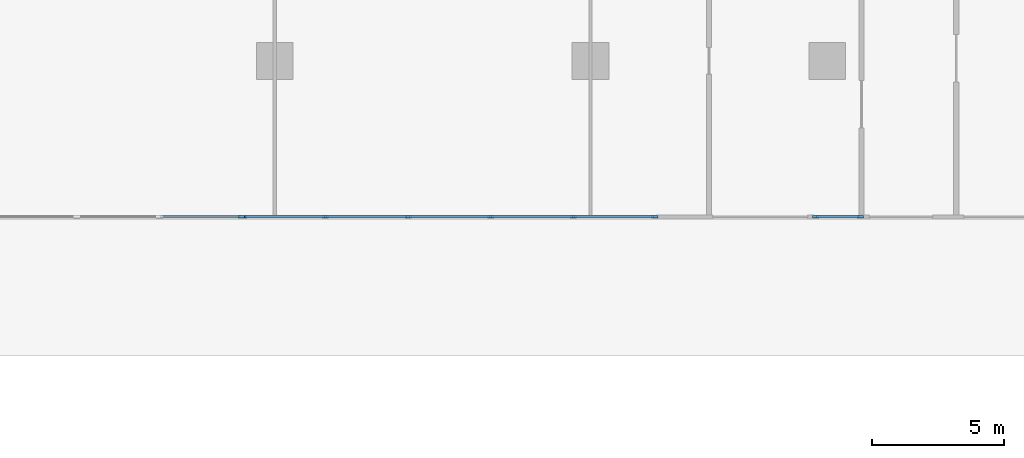
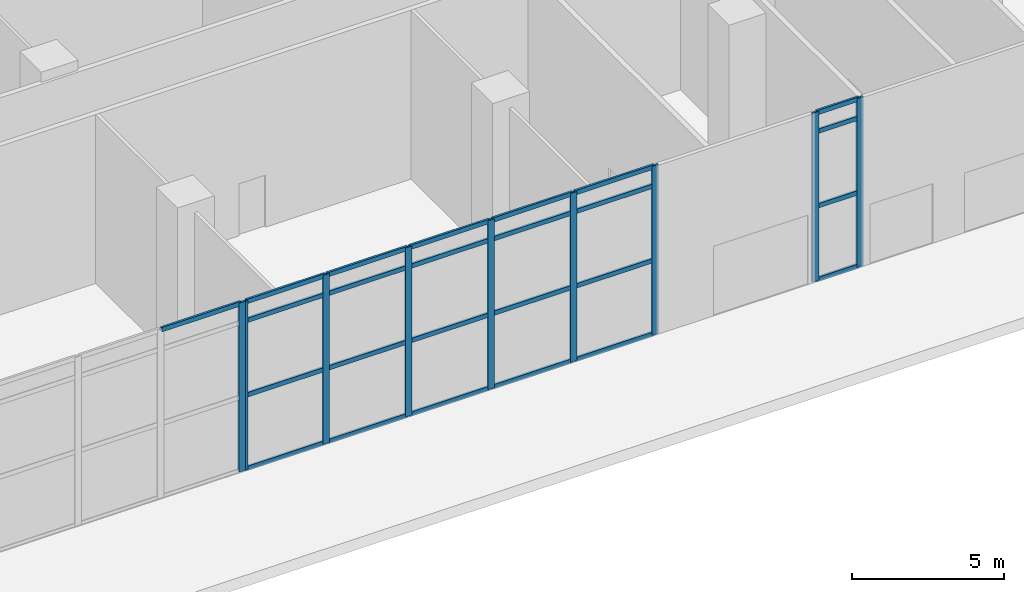
# One storey, part 3 of 34: 34 members, 3 elements without a shape of their own.
"""IFC4 building model written with IfcOpenShell, lengths in metres."""

import ifcopenshell
import ifcopenshell.guid

model = None  # the IFC model being written
_history = None  # IfcOwnerHistory: only IFC2X3 demands one
_inside = {}  # id of a spatial element -> (the spatial element, [elements in it])
_under = {}  # id of a project, library or spatial element -> (it, [spatial elements below it])
_declared = {}  # id of a project -> (the project, [libraries it declares])
_typed = {}  # id of a type object -> (the type object, [elements of that type])
_made_of = {}  # id of a material, layer set ... -> (it, [elements and type objects made of it])


def new_model(schema):
    """Start an empty IFC model of exactly this schema.

    Asked for "IFC4X3", IfcOpenShell would pick the latest addendum, in which some entities
    have other attributes; the version numbers below select the first issue.
    IFC2X3 requires an IfcOwnerHistory on every rooted entity: one is made here for all.
    """
    global model, _history
    if schema == "IFC4X3":
        model = ifcopenshell.file(schema_version=(4, 3, 0, 0))
    else:
        model = ifcopenshell.file(schema=schema)
    _inside.clear()
    _under.clear()
    _declared.clear()
    _typed.clear()
    _made_of.clear()
    _history = None
    if model.schema == "IFC2X3":
        org = make("IfcOrganization", Name="unknown")
        user = make(
            "IfcPersonAndOrganization",
            ThePerson=make("IfcPerson", FamilyName="unknown"),
            TheOrganization=org,
        )
        app = make(
            "IfcApplication",
            ApplicationDeveloper=org,
            Version="unknown",
            ApplicationFullName="unknown",
            ApplicationIdentifier="unknown",
        )
        _history = make(
            "IfcOwnerHistory",
            OwningUser=user,
            OwningApplication=app,
            ChangeAction="ADDED",
            CreationDate=0,
        )
    return model


def make(cls, **values):
    """One entity of the class cls with the attributes given. An attribute that is None is left unset."""
    return model.create_entity(
        cls, **{name: value for name, value in values.items() if value is not None}
    )


def rooted(cls, **values):
    """An entity with a GlobalId (a new one), such as an element, a storey or a relation."""
    return make(cls, GlobalId=ifcopenshell.guid.new(), OwnerHistory=_history, **values)


def si_unit(unit_type, name, prefix=None):
    """IfcSIUnit, for example si_unit("LENGTHUNIT", "METRE", prefix="MILLI")."""
    return make("IfcSIUnit", UnitType=unit_type, Prefix=prefix, Name=name)


def assignment(units):
    """IfcUnitAssignment: the units of a project."""
    return None if units is None else make("IfcUnitAssignment", Units=units)


def point(xyz):
    """IfcCartesianPoint."""
    return None if xyz is None else make("IfcCartesianPoint", Coordinates=xyz)


def direction(xyz):
    """IfcDirection."""
    return None if xyz is None else make("IfcDirection", DirectionRatios=xyz)


def frame(location, z_axis=None, x_axis=None):
    """IfcAxis2Placement3D, a coordinate frame: its origin and axes. An axis left out is left unset."""
    return make(
        "IfcAxis2Placement3D",
        Location=point(location),
        Axis=direction(z_axis),
        RefDirection=direction(x_axis),
    )


def frame_2d(location, x_axis=None):
    """IfcAxis2Placement2D, a coordinate frame in the plane: its origin and x axis."""
    return make(
        "IfcAxis2Placement2D", Location=point(location), RefDirection=direction(x_axis)
    )


def origin():
    """The frame at (0, 0, 0) with its axes left unset."""
    return frame((0.0, 0.0, 0.0))


def origin_2d():
    """The frame at (0, 0) in the plane with its x axis left unset."""
    return frame_2d((0.0, 0.0))


def place(relative_to, where):
    """IfcLocalPlacement: puts the frame where relative to a parent placement (None: the world)."""
    return make(
        "IfcLocalPlacement", PlacementRelTo=relative_to, RelativePlacement=where
    )


def context(
    kind, dimensions, precision=None, world=None, true_north=None, identifier=None
):
    """IfcGeometricRepresentationContext, for example the 3D "Model" context."""
    return make(
        "IfcGeometricRepresentationContext",
        ContextIdentifier=identifier,
        ContextType=kind,
        CoordinateSpaceDimension=dimensions,
        Precision=precision,
        WorldCoordinateSystem=world,
        TrueNorth=true_north,
    )


def subcontext(parent, identifier, kind, view, scale=None):
    """IfcGeometricRepresentationSubContext, for example "Body" below "Model"."""
    return make(
        "IfcGeometricRepresentationSubContext",
        ContextIdentifier=identifier,
        ContextType=kind,
        ParentContext=parent,
        TargetScale=scale,
        TargetView=view,
    )


def project(units=None, contexts=None):
    """IfcProject with its units and contexts."""
    return rooted(
        "IfcProject",
        Name="project",
        RepresentationContexts=contexts,
        UnitsInContext=assignment(units),
    )


def spatial(cls, under=None, at=None, **own):
    """A site, building, storey or space (cls), placed at a placement, below another one or the project."""
    s = rooted(cls, ObjectPlacement=at, **own)
    if under is not None:
        _under.setdefault(under.id(), (under, []))[1].append(s)
    return s


def profile(cls, at=None, kind="AREA", **sizes):
    """A parametric profile (cls). Its sizes go by their IFC names, for example OverallWidth=200.0."""
    return make(cls, ProfileType=kind, Position=at, **sizes)


def rectangle(**sizes):
    """IfcRectangleProfileDef."""
    return profile("IfcRectangleProfileDef", **sizes)


def extrude(swept, where, along, depth):
    """IfcExtrudedAreaSolid: the profile swept, set in the frame where, extruded along a direction by depth."""
    return make(
        "IfcExtrudedAreaSolid",
        SweptArea=swept,
        Position=where,
        ExtrudedDirection=direction(along),
        Depth=depth,
    )


def shape(context_of_items, identifier, shape_type, items):
    """IfcShapeRepresentation: the items that make up one representation, for example the "Body"."""
    return make(
        "IfcShapeRepresentation",
        ContextOfItems=context_of_items,
        RepresentationIdentifier=identifier,
        RepresentationType=shape_type,
        Items=items,
    )


def material(Name=None, Category=None):
    """IfcMaterial."""
    return make("IfcMaterial", Name=Name, Category=Category)


def layer(
    of_material, thickness, ventilated=None, Name=None, Category=None, Priority=None
):
    """IfcMaterialLayer: one layer of a wall or slab, of a material (None: an air gap)."""
    return make(
        "IfcMaterialLayer",
        Material=of_material,
        LayerThickness=thickness,
        IsVentilated=ventilated,
        Name=Name,
        Category=Category,
        Priority=Priority,
    )


def layer_set(layers, Name=None):
    """IfcMaterialLayerSet."""
    return make("IfcMaterialLayerSet", MaterialLayers=layers, LayerSetName=Name)


def material_profile(
    of_material, cross_section, Name=None, Category=None, Priority=None
):
    """IfcMaterialProfile: a cross section and its material."""
    return make(
        "IfcMaterialProfile",
        Name=Name,
        Material=of_material,
        Profile=cross_section,
        Priority=Priority,
        Category=Category,
    )


def profile_set(profiles, Name=None, composite=None):
    """IfcMaterialProfileSet."""
    return make(
        "IfcMaterialProfileSet",
        Name=Name,
        MaterialProfiles=profiles,
        CompositeProfile=composite,
    )


def made_of(thing, what):
    """Note that an element or type object is made of a material, layer set ...; save() writes the relation."""
    if what is not None:
        _made_of.setdefault(what.id(), (what, []))[1].append(thing)
    return thing


def type_object(cls, material=None, **own):
    """A type object (cls), such as IfcWallType, which elements share."""
    return made_of(rooted(cls, **own), material)


def element(
    cls,
    number,
    at=None,
    inside=None,
    cuts=None,
    type_object=None,
    material=None,
    context=None,
    identifier="Body",
    shape_type=None,
    held_by="IfcProductDefinitionShape",
    body=None,
    shapes=None,
    **own,
):
    """One element of the class cls, such as IfcWall. Its Tag is "e" and its number.

    at: its placement. inside: the storey or other place that contains it. cuts: it is an
    opening in that element (IfcRelVoidsElement). A single representation is given by context,
    identifier, shape_type and body (its items); several are given by shapes. held_by: the class
    of the entity that holds the representations. save() writes the other relations.
    """
    e = rooted(cls, Tag="e%d" % number, ObjectPlacement=at, **own)
    if body is not None:
        shapes = [shape(context, identifier, shape_type, body)]
    if shapes is not None:
        e.Representation = make(held_by, Representations=shapes)
    if inside is not None:
        _inside.setdefault(inside.id(), (inside, []))[1].append(e)
    if cuts is not None:
        rooted(
            "IfcRelVoidsElement", RelatingBuildingElement=cuts, RelatedOpeningElement=e
        )
    if type_object is not None:
        _typed.setdefault(type_object.id(), (type_object, []))[1].append(e)
    return made_of(e, material)


def aggregate(whole, parts):
    """IfcRelAggregates: a whole, such as a stair, and the parts it consists of."""
    return rooted("IfcRelAggregates", RelatingObject=whole, RelatedObjects=parts)


def save(model, path):
    """Write the relations noted so far, then the file.

    IfcRelAggregates (storeys below a building ...), IfcRelContainedInSpatialStructure (elements
    in a storey), IfcRelDefinesByType, IfcRelAssociatesMaterial and IfcRelDeclares: one each for
    every whole, place, type object, material and project.
    """
    for whole, parts in _under.values():
        aggregate(whole, parts)
    for where, things in _inside.values():
        rooted(
            "IfcRelContainedInSpatialStructure",
            RelatedElements=things,
            RelatingStructure=where,
        )
    for kind, things in _typed.values():
        rooted("IfcRelDefinesByType", RelatedObjects=things, RelatingType=kind)
    for what, things in _made_of.values():
        rooted("IfcRelAssociatesMaterial", RelatedObjects=things, RelatingMaterial=what)
    for by, libraries in _declared.values():
        rooted("IfcRelDeclares", RelatingContext=by, RelatedDefinitions=libraries)
    model.write(path)


model = new_model("IFC4")

# Units and contexts
model_context = context("Model", 3, precision=1e-05, world=origin(), true_north=direction((0.0, 1.0)))
body_context = subcontext(model_context, "Body", "Model", "MODEL_VIEW")
ifc_project = project(units=[si_unit("LENGTHUNIT", "METRE"), si_unit("AREAUNIT", "SQUARE_METRE"), si_unit("VOLUMEUNIT", "CUBIC_METRE"), si_unit("PLANEANGLEUNIT", "RADIAN"), si_unit("MASSUNIT", "GRAM", prefix="KILO")], contexts=[model_context])

# Site, building, storey
site_placement = place(None, origin())
site = spatial("IfcSite", under=ifc_project, at=site_placement, CompositionType="ELEMENT")
building_placement = place(site_placement, origin())
building = spatial("IfcBuilding", under=site, at=building_placement, Name="Chenar Terraces", CompositionType="ELEMENT")
storey_placement = place(building_placement, origin())
storey = spatial("IfcBuildingStorey", under=building, at=storey_placement, Name="L00", CompositionType="ELEMENT", Elevation=0.0)

# Curtain wall, member
ifc_material_1 = material(Name="Aluminium framed glazing", Category="aluminium")
ifc_layer = layer(ifc_material_1, 0.14990234375)
ifc_layer_set = layer_set([ifc_layer], Name="Aluminium framed glazing")
curtain_wall_type = type_object("IfcCurtainWallType", Name="Lobby curtain wall", PredefinedType="NOTDEFINED", material=ifc_layer_set)
placement = place(storey_placement, origin())
curtain_wall_1 = element("IfcCurtainWall", 1, at=placement, inside=storey, type_object=curtain_wall_type, Name="Lobby curtain wall", PredefinedType="NOTDEFINED")
ifc_material_2 = material(Name="Aluminium", Category="aluminium")
ifc_material_profile_1 = material_profile(ifc_material_2, rectangle(XDim=0.080078125, YDim=0.25, at=origin_2d()), Name="Lobby glazing mullion 80 x 250")
ifc_profile_set_1 = profile_set([ifc_material_profile_1], Name="Aluminium")
member_type_1 = type_object("IfcMemberType", Name="Lobby glazing mullion 80 x 250", PredefinedType="MULLION", material=ifc_profile_set_1)
member_1_placement = place(storey_placement, frame((22.72021484375, -14.925048828125, 0.0), z_axis=(0.0, 0.0, 1.0), x_axis=(0.0, 1.0, 0.0)))
member_1 = element("IfcMember", 2, at=member_1_placement, type_object=member_type_1, Name="CW6-06p10 mullion 6", PredefinedType="MULLION", context=body_context, shape_type="SweptSolid", body=[
    extrude(rectangle(XDim=0.080078125, YDim=0.25, at=origin_2d()), origin(), (0.0, 0.0, 1.0), 6.800048828125),
])

# Curtain wall, members
curtain_wall_2 = element("IfcCurtainWall", 3, at=placement, inside=storey, type_object=curtain_wall_type, Name="Lobby curtain wall", PredefinedType="NOTDEFINED")
member_2_placement = place(storey_placement, frame((22.8251953125, -14.925048828125, 0.0), z_axis=(0.0, 0.0, 1.0), x_axis=(0.0, 1.0, 0.0)))
member_2 = element("IfcMember", 4, at=member_2_placement, type_object=member_type_1, Name="CW6-06p11 mullion 1", PredefinedType="MULLION", context=body_context, shape_type="SweptSolid", body=[
    extrude(rectangle(XDim=0.080078125, YDim=0.25, at=origin_2d()), origin(), (0.0, 0.0, 1.0), 6.800048828125),
])
member_3_placement = place(storey_placement, frame((25.92578125, -14.925048828125, 0.0), z_axis=(0.0, 0.0, 1.0), x_axis=(0.0, 1.0, 0.0)))
member_3 = element("IfcMember", 5, at=member_3_placement, type_object=member_type_1, Name="CW6-06p11 mullion 2", PredefinedType="MULLION", context=body_context, shape_type="SweptSolid", body=[
    extrude(rectangle(XDim=0.080078125, YDim=0.25, at=origin_2d()), origin(), (0.0, 0.0, 1.0), 6.800048828125),
])
member_4_placement = place(storey_placement, frame((29.066162109375, -14.925048828125, 0.0), z_axis=(0.0, 0.0, 1.0), x_axis=(0.0, 1.0, 0.0)))
member_4 = element("IfcMember", 6, at=member_4_placement, type_object=member_type_1, Name="CW6-06p11 mullion 3", PredefinedType="MULLION", context=body_context, shape_type="SweptSolid", body=[
    extrude(rectangle(XDim=0.080078125, YDim=0.25, at=origin_2d()), origin(), (0.0, 0.0, 1.0), 6.800048828125),
])
member_5_placement = place(storey_placement, frame((32.20654296875, -14.925048828125, 0.0), z_axis=(0.0, 0.0, 1.0), x_axis=(0.0, 1.0, 0.0)))
member_5 = element("IfcMember", 7, at=member_5_placement, type_object=member_type_1, Name="CW6-06p11 mullion 4", PredefinedType="MULLION", context=body_context, shape_type="SweptSolid", body=[
    extrude(rectangle(XDim=0.080078125, YDim=0.25, at=origin_2d()), origin(), (0.0, 0.0, 1.0), 6.800048828125),
])
member_6_placement = place(storey_placement, frame((35.34716796875, -14.925048828125, 0.0), z_axis=(0.0, 0.0, 1.0), x_axis=(0.0, 1.0, 0.0)))
member_6 = element("IfcMember", 8, at=member_6_placement, type_object=member_type_1, Name="CW6-06p11 mullion 5", PredefinedType="MULLION", context=body_context, shape_type="SweptSolid", body=[
    extrude(rectangle(XDim=0.080078125, YDim=0.25, at=origin_2d()), origin(), (0.0, 0.0, 1.0), 6.800048828125),
])
member_7_placement = place(storey_placement, frame((38.447509765625, -14.925048828125, 0.0), z_axis=(0.0, 0.0, 1.0), x_axis=(0.0, 1.0, 0.0)))
member_7 = element("IfcMember", 9, at=member_7_placement, type_object=member_type_1, Name="CW6-06p11 mullion 6", PredefinedType="MULLION", context=body_context, shape_type="SweptSolid", body=[
    extrude(rectangle(XDim=0.080078125, YDim=0.25, at=origin_2d()), origin(), (0.0, 0.0, 1.0), 6.800048828125),
])

curtain_wall_3 = element("IfcCurtainWall", 10, at=placement, inside=storey, type_object=curtain_wall_type, Name="Lobby curtain wall", PredefinedType="NOTDEFINED")
member_8_placement = place(storey_placement, frame((44.552490234375, -14.925048828125, 0.0), z_axis=(0.0, 0.0, 1.0), x_axis=(0.0, 1.0, 0.0)))
member_8 = element("IfcMember", 11, at=member_8_placement, type_object=member_type_1, Name="CW6-06p20 mullion 1", PredefinedType="MULLION", context=body_context, shape_type="SweptSolid", body=[
    extrude(rectangle(XDim=0.080078125, YDim=0.25, at=origin_2d()), origin(), (0.0, 0.0, 1.0), 6.800048828125),
])
member_9_placement = place(storey_placement, frame((46.24755859375, -14.925048828125, 0.0), z_axis=(0.0, 0.0, 1.0), x_axis=(0.0, 1.0, 0.0)))
member_9 = element("IfcMember", 12, at=member_9_placement, type_object=member_type_1, Name="CW6-06p20 mullion 2", PredefinedType="MULLION", context=body_context, shape_type="SweptSolid", body=[
    extrude(rectangle(XDim=0.080078125, YDim=0.25, at=origin_2d()), origin(), (0.0, 0.0, 1.0), 6.800048828125),
])

# Member
ifc_material_3 = material(Name="Aluminium", Category="aluminium")
ifc_material_profile_2 = material_profile(ifc_material_3, rectangle(XDim=0.080078125, YDim=0.179931640625, at=origin_2d()), Name="Lobby glazing transom 80 x 180")
ifc_profile_set_2 = profile_set([ifc_material_profile_2], Name="Aluminium")
member_type_2 = type_object("IfcMemberType", Name="Lobby glazing transom 80 x 180", PredefinedType="USERDEFINED", material=ifc_profile_set_2)
member_10_placement = place(storey_placement, frame((19.659912109375, -14.925048828125, 6.760009765625), z_axis=(1.0, 0.0, 0.0), x_axis=(0.0, 1.0, 0.0)))
member_10 = element("IfcMember", 13, at=member_10_placement, type_object=member_type_2, Name="CW6-06p10 transom 5.4", ObjectType="TRANSOM", PredefinedType="USERDEFINED", context=body_context, shape_type="SweptSolid", body=[
    extrude(rectangle(XDim=0.080078125, YDim=0.179931640625, at=origin_2d()), origin(), (0.0, 0.0, 1.0), 3.0205078125),
])

aggregate(curtain_wall_1, [member_1, member_10])

member_11_placement = place(storey_placement, frame((22.865234375, -14.925048828125, 0.0400390625), z_axis=(1.0, 0.0, 0.0), x_axis=(0.0, 1.0, 0.0)))
member_11 = element("IfcMember", 14, at=member_11_placement, type_object=member_type_2, Name="CW6-06p11 transom 1.1", ObjectType="TRANSOM", PredefinedType="USERDEFINED", context=body_context, shape_type="SweptSolid", body=[
    extrude(rectangle(XDim=0.080078125, YDim=0.179931640625, at=origin_2d()), origin(), (0.0, 0.0, 1.0), 3.0205078125),
])

member_12_placement = place(storey_placement, frame((22.865234375, -14.925048828125, 3.0), z_axis=(1.0, 0.0, 0.0), x_axis=(0.0, 1.0, 0.0)))
member_12 = element("IfcMember", 15, at=member_12_placement, type_object=member_type_2, Name="CW6-06p11 transom 1.2", ObjectType="TRANSOM", PredefinedType="USERDEFINED", context=body_context, shape_type="SweptSolid", body=[
    extrude(rectangle(XDim=0.080078125, YDim=0.179931640625, at=origin_2d()), origin(), (0.0, 0.0, 1.0), 3.0205078125),
])

member_13_placement = place(storey_placement, frame((22.865234375, -14.925048828125, 6.0), z_axis=(1.0, 0.0, 0.0), x_axis=(0.0, 1.0, 0.0)))
member_13 = element("IfcMember", 16, at=member_13_placement, type_object=member_type_2, Name="CW6-06p11 transom 1.3", ObjectType="TRANSOM", PredefinedType="USERDEFINED", context=body_context, shape_type="SweptSolid", body=[
    extrude(rectangle(XDim=0.080078125, YDim=0.179931640625, at=origin_2d()), origin(), (0.0, 0.0, 1.0), 3.0205078125),
])

member_14_placement = place(storey_placement, frame((22.865234375, -14.925048828125, 6.760009765625), z_axis=(1.0, 0.0, 0.0), x_axis=(0.0, 1.0, 0.0)))
member_14 = element("IfcMember", 17, at=member_14_placement, type_object=member_type_2, Name="CW6-06p11 transom 1.4", ObjectType="TRANSOM", PredefinedType="USERDEFINED", context=body_context, shape_type="SweptSolid", body=[
    extrude(rectangle(XDim=0.080078125, YDim=0.179931640625, at=origin_2d()), origin(), (0.0, 0.0, 1.0), 3.0205078125),
])

member_15_placement = place(storey_placement, frame((25.9658203125, -14.925048828125, 0.0400390625), z_axis=(1.0, 0.0, 0.0), x_axis=(0.0, 1.0, 0.0)))
member_15 = element("IfcMember", 18, at=member_15_placement, type_object=member_type_2, Name="CW6-06p11 transom 2.1", ObjectType="TRANSOM", PredefinedType="USERDEFINED", context=body_context, shape_type="SweptSolid", body=[
    extrude(rectangle(XDim=0.080078125, YDim=0.179931640625, at=origin_2d()), origin(), (0.0, 0.0, 1.0), 3.060302734375),
])

member_16_placement = place(storey_placement, frame((25.9658203125, -14.925048828125, 3.0), z_axis=(1.0, 0.0, 0.0), x_axis=(0.0, 1.0, 0.0)))
member_16 = element("IfcMember", 19, at=member_16_placement, type_object=member_type_2, Name="CW6-06p11 transom 2.2", ObjectType="TRANSOM", PredefinedType="USERDEFINED", context=body_context, shape_type="SweptSolid", body=[
    extrude(rectangle(XDim=0.080078125, YDim=0.179931640625, at=origin_2d()), origin(), (0.0, 0.0, 1.0), 3.060302734375),
])

member_17_placement = place(storey_placement, frame((25.9658203125, -14.925048828125, 6.0), z_axis=(1.0, 0.0, 0.0), x_axis=(0.0, 1.0, 0.0)))
member_17 = element("IfcMember", 20, at=member_17_placement, type_object=member_type_2, Name="CW6-06p11 transom 2.3", ObjectType="TRANSOM", PredefinedType="USERDEFINED", context=body_context, shape_type="SweptSolid", body=[
    extrude(rectangle(XDim=0.080078125, YDim=0.179931640625, at=origin_2d()), origin(), (0.0, 0.0, 1.0), 3.060302734375),
])

member_18_placement = place(storey_placement, frame((25.9658203125, -14.925048828125, 6.760009765625), z_axis=(1.0, 0.0, 0.0), x_axis=(0.0, 1.0, 0.0)))
member_18 = element("IfcMember", 21, at=member_18_placement, type_object=member_type_2, Name="CW6-06p11 transom 2.4", ObjectType="TRANSOM", PredefinedType="USERDEFINED", context=body_context, shape_type="SweptSolid", body=[
    extrude(rectangle(XDim=0.080078125, YDim=0.179931640625, at=origin_2d()), origin(), (0.0, 0.0, 1.0), 3.060302734375),
])

member_19_placement = place(storey_placement, frame((29.106201171875, -14.925048828125, 0.0400390625), z_axis=(1.0, 0.0, 0.0), x_axis=(0.0, 1.0, 0.0)))
member_19 = element("IfcMember", 22, at=member_19_placement, type_object=member_type_2, Name="CW6-06p11 transom 3.1", ObjectType="TRANSOM", PredefinedType="USERDEFINED", context=body_context, shape_type="SweptSolid", body=[
    extrude(rectangle(XDim=0.080078125, YDim=0.179931640625, at=origin_2d()), origin(), (0.0, 0.0, 1.0), 3.060302734375),
])

member_20_placement = place(storey_placement, frame((29.106201171875, -14.925048828125, 3.0), z_axis=(1.0, 0.0, 0.0), x_axis=(0.0, 1.0, 0.0)))
member_20 = element("IfcMember", 23, at=member_20_placement, type_object=member_type_2, Name="CW6-06p11 transom 3.2", ObjectType="TRANSOM", PredefinedType="USERDEFINED", context=body_context, shape_type="SweptSolid", body=[
    extrude(rectangle(XDim=0.080078125, YDim=0.179931640625, at=origin_2d()), origin(), (0.0, 0.0, 1.0), 3.060302734375),
])

member_21_placement = place(storey_placement, frame((29.106201171875, -14.925048828125, 6.0), z_axis=(1.0, 0.0, 0.0), x_axis=(0.0, 1.0, 0.0)))
member_21 = element("IfcMember", 24, at=member_21_placement, type_object=member_type_2, Name="CW6-06p11 transom 3.3", ObjectType="TRANSOM", PredefinedType="USERDEFINED", context=body_context, shape_type="SweptSolid", body=[
    extrude(rectangle(XDim=0.080078125, YDim=0.179931640625, at=origin_2d()), origin(), (0.0, 0.0, 1.0), 3.060302734375),
])

member_22_placement = place(storey_placement, frame((29.106201171875, -14.925048828125, 6.760009765625), z_axis=(1.0, 0.0, 0.0), x_axis=(0.0, 1.0, 0.0)))
member_22 = element("IfcMember", 25, at=member_22_placement, type_object=member_type_2, Name="CW6-06p11 transom 3.4", ObjectType="TRANSOM", PredefinedType="USERDEFINED", context=body_context, shape_type="SweptSolid", body=[
    extrude(rectangle(XDim=0.080078125, YDim=0.179931640625, at=origin_2d()), origin(), (0.0, 0.0, 1.0), 3.060302734375),
])

member_23_placement = place(storey_placement, frame((32.24658203125, -14.925048828125, 0.0400390625), z_axis=(1.0, 0.0, 0.0), x_axis=(0.0, 1.0, 0.0)))
member_23 = element("IfcMember", 26, at=member_23_placement, type_object=member_type_2, Name="CW6-06p11 transom 4.1", ObjectType="TRANSOM", PredefinedType="USERDEFINED", context=body_context, shape_type="SweptSolid", body=[
    extrude(rectangle(XDim=0.080078125, YDim=0.179931640625, at=origin_2d()), origin(), (0.0, 0.0, 1.0), 3.060546875),
])

member_24_placement = place(storey_placement, frame((32.24658203125, -14.925048828125, 3.0), z_axis=(1.0, 0.0, 0.0), x_axis=(0.0, 1.0, 0.0)))
member_24 = element("IfcMember", 27, at=member_24_placement, type_object=member_type_2, Name="CW6-06p11 transom 4.2", ObjectType="TRANSOM", PredefinedType="USERDEFINED", context=body_context, shape_type="SweptSolid", body=[
    extrude(rectangle(XDim=0.080078125, YDim=0.179931640625, at=origin_2d()), origin(), (0.0, 0.0, 1.0), 3.060546875),
])

member_25_placement = place(storey_placement, frame((32.24658203125, -14.925048828125, 6.0), z_axis=(1.0, 0.0, 0.0), x_axis=(0.0, 1.0, 0.0)))
member_25 = element("IfcMember", 28, at=member_25_placement, type_object=member_type_2, Name="CW6-06p11 transom 4.3", ObjectType="TRANSOM", PredefinedType="USERDEFINED", context=body_context, shape_type="SweptSolid", body=[
    extrude(rectangle(XDim=0.080078125, YDim=0.179931640625, at=origin_2d()), origin(), (0.0, 0.0, 1.0), 3.060546875),
])

member_26_placement = place(storey_placement, frame((32.24658203125, -14.925048828125, 6.760009765625), z_axis=(1.0, 0.0, 0.0), x_axis=(0.0, 1.0, 0.0)))
member_26 = element("IfcMember", 29, at=member_26_placement, type_object=member_type_2, Name="CW6-06p11 transom 4.4", ObjectType="TRANSOM", PredefinedType="USERDEFINED", context=body_context, shape_type="SweptSolid", body=[
    extrude(rectangle(XDim=0.080078125, YDim=0.179931640625, at=origin_2d()), origin(), (0.0, 0.0, 1.0), 3.060546875),
])

member_27_placement = place(storey_placement, frame((35.386962890625, -14.925048828125, 0.0400390625), z_axis=(1.0, 0.0, 0.0), x_axis=(0.0, 1.0, 0.0)))
member_27 = element("IfcMember", 30, at=member_27_placement, type_object=member_type_2, Name="CW6-06p11 transom 5.1", ObjectType="TRANSOM", PredefinedType="USERDEFINED", context=body_context, shape_type="SweptSolid", body=[
    extrude(rectangle(XDim=0.080078125, YDim=0.179931640625, at=origin_2d()), origin(), (0.0, 0.0, 1.0), 3.0205078125),
])

member_28_placement = place(storey_placement, frame((35.386962890625, -14.925048828125, 3.0), z_axis=(1.0, 0.0, 0.0), x_axis=(0.0, 1.0, 0.0)))
member_28 = element("IfcMember", 31, at=member_28_placement, type_object=member_type_2, Name="CW6-06p11 transom 5.2", ObjectType="TRANSOM", PredefinedType="USERDEFINED", context=body_context, shape_type="SweptSolid", body=[
    extrude(rectangle(XDim=0.080078125, YDim=0.179931640625, at=origin_2d()), origin(), (0.0, 0.0, 1.0), 3.0205078125),
])

member_29_placement = place(storey_placement, frame((35.386962890625, -14.925048828125, 6.0), z_axis=(1.0, 0.0, 0.0), x_axis=(0.0, 1.0, 0.0)))
member_29 = element("IfcMember", 32, at=member_29_placement, type_object=member_type_2, Name="CW6-06p11 transom 5.3", ObjectType="TRANSOM", PredefinedType="USERDEFINED", context=body_context, shape_type="SweptSolid", body=[
    extrude(rectangle(XDim=0.080078125, YDim=0.179931640625, at=origin_2d()), origin(), (0.0, 0.0, 1.0), 3.0205078125),
])

member_30_placement = place(storey_placement, frame((35.386962890625, -14.925048828125, 6.760009765625), z_axis=(1.0, 0.0, 0.0), x_axis=(0.0, 1.0, 0.0)))
member_30 = element("IfcMember", 33, at=member_30_placement, type_object=member_type_2, Name="CW6-06p11 transom 5.4", ObjectType="TRANSOM", PredefinedType="USERDEFINED", context=body_context, shape_type="SweptSolid", body=[
    extrude(rectangle(XDim=0.080078125, YDim=0.179931640625, at=origin_2d()), origin(), (0.0, 0.0, 1.0), 3.0205078125),
])

aggregate(curtain_wall_2, [member_2, member_3, member_4, member_5, member_6, member_7, member_11, member_12, member_13, member_14, member_15, member_16, member_17, member_18, member_19, member_20, member_21, member_22, member_23, member_24, member_25, member_26, member_27, member_28, member_29, member_30])

member_31_placement = place(storey_placement, frame((44.592529296875, -14.925048828125, 0.0400390625), z_axis=(1.0, 0.0, 0.0), x_axis=(0.0, 1.0, 0.0)))
member_31 = element("IfcMember", 34, at=member_31_placement, type_object=member_type_2, Name="CW6-06p20 transom 1.1", ObjectType="TRANSOM", PredefinedType="USERDEFINED", context=body_context, shape_type="SweptSolid", body=[
    extrude(rectangle(XDim=0.080078125, YDim=0.179931640625, at=origin_2d()), origin(), (0.0, 0.0, 1.0), 1.614990234375),
])

member_32_placement = place(storey_placement, frame((44.592529296875, -14.925048828125, 3.0), z_axis=(1.0, 0.0, 0.0), x_axis=(0.0, 1.0, 0.0)))
member_32 = element("IfcMember", 35, at=member_32_placement, type_object=member_type_2, Name="CW6-06p20 transom 1.2", ObjectType="TRANSOM", PredefinedType="USERDEFINED", context=body_context, shape_type="SweptSolid", body=[
    extrude(rectangle(XDim=0.080078125, YDim=0.179931640625, at=origin_2d()), origin(), (0.0, 0.0, 1.0), 1.614990234375),
])

member_33_placement = place(storey_placement, frame((44.592529296875, -14.925048828125, 6.0), z_axis=(1.0, 0.0, 0.0), x_axis=(0.0, 1.0, 0.0)))
member_33 = element("IfcMember", 36, at=member_33_placement, type_object=member_type_2, Name="CW6-06p20 transom 1.3", ObjectType="TRANSOM", PredefinedType="USERDEFINED", context=body_context, shape_type="SweptSolid", body=[
    extrude(rectangle(XDim=0.080078125, YDim=0.179931640625, at=origin_2d()), origin(), (0.0, 0.0, 1.0), 1.614990234375),
])

member_34_placement = place(storey_placement, frame((44.592529296875, -14.925048828125, 6.760009765625), z_axis=(1.0, 0.0, 0.0), x_axis=(0.0, 1.0, 0.0)))
member_34 = element("IfcMember", 37, at=member_34_placement, type_object=member_type_2, Name="CW6-06p20 transom 1.4", ObjectType="TRANSOM", PredefinedType="USERDEFINED", context=body_context, shape_type="SweptSolid", body=[
    extrude(rectangle(XDim=0.080078125, YDim=0.179931640625, at=origin_2d()), origin(), (0.0, 0.0, 1.0), 1.614990234375),
])

aggregate(curtain_wall_3, [member_8, member_9, member_31, member_32, member_33, member_34])

save(model, "model.ifc")
